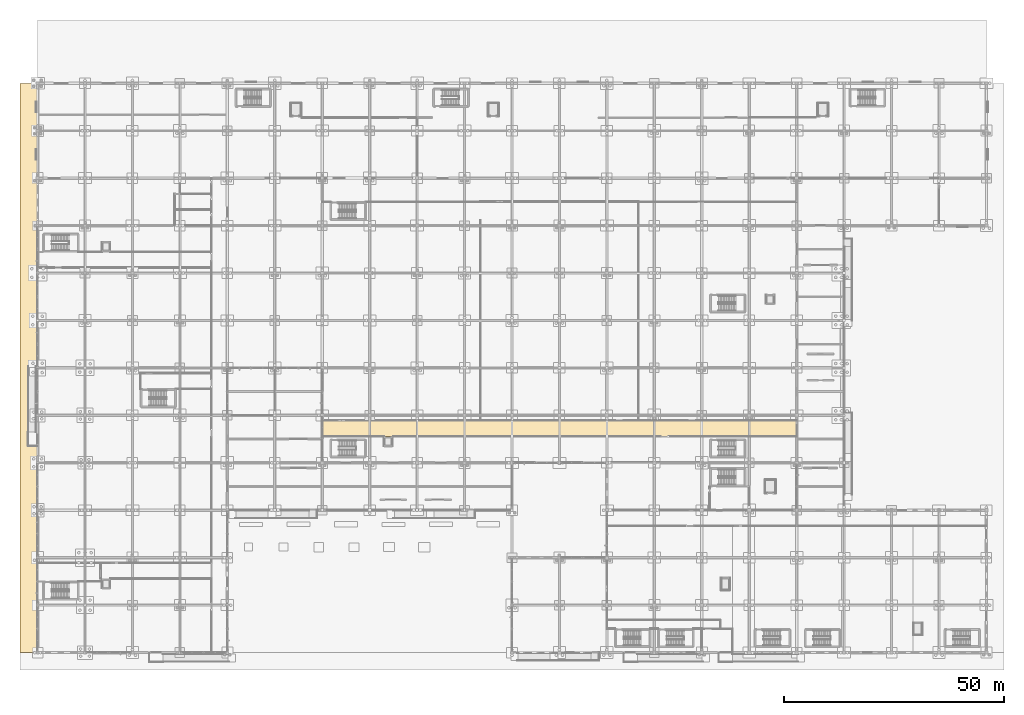
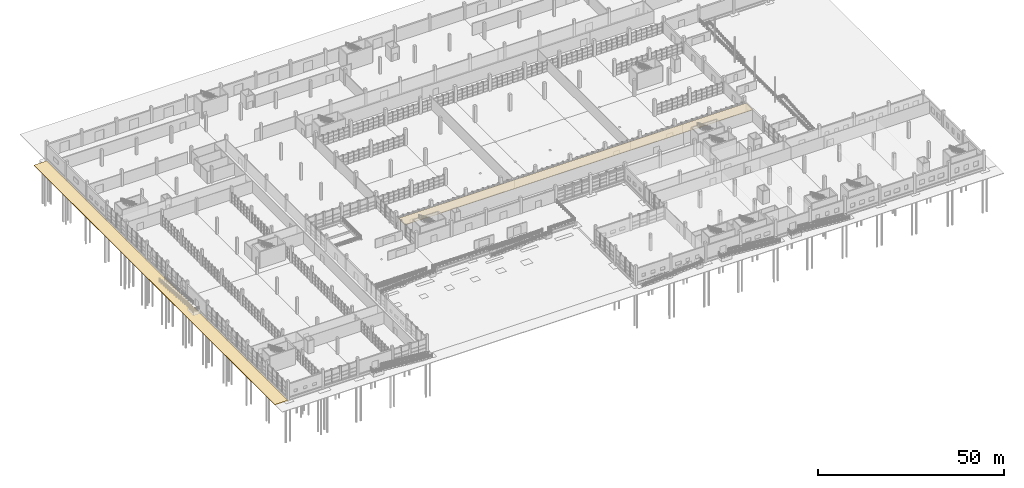
# One storey, part 129 of 138: 2 coverings.
"""IFC4 building model written with IfcOpenShell, lengths in metres."""

from ifc_helpers import new_model, si_unit, direction, frame, origin, place, context, subcontext, project, spatial, polyline, outline, extrude, material, layer, layer_set, type_object, element, save


model = new_model("IFC4")

# Units and contexts
model_context = context("Model", 3, precision=1e-05, world=origin(), true_north=direction((0.0, 1.0)))
body_context = subcontext(model_context, "Body", "Model", "MODEL_VIEW")
ifc_project = project(units=[si_unit("LENGTHUNIT", "METRE"), si_unit("AREAUNIT", "SQUARE_METRE"), si_unit("VOLUMEUNIT", "CUBIC_METRE"), si_unit("PLANEANGLEUNIT", "RADIAN"), si_unit("MASSUNIT", "GRAM", prefix="KILO")], contexts=[model_context])

# Site, building, storey
site_placement = place(None, origin())
site = spatial("IfcSite", under=ifc_project, at=site_placement, CompositionType="ELEMENT")
building_placement = place(site_placement, origin())
building = spatial("IfcBuilding", under=site, at=building_placement, Name="Zwinboog Wholesale Market", CompositionType="ELEMENT")
storey_placement = place(building_placement, origin())
storey = spatial("IfcBuildingStorey", under=building, at=storey_placement, Name="L00", CompositionType="ELEMENT", Elevation=0.0)

# Coverings
ifc_material_1 = material(Name="Concrete C35/45", Category="concrete")
ifc_layer_1 = layer(ifc_material_1, 0.219970703125)
ifc_layer_set_1 = layer_set([ifc_layer_1], Name="Concrete C35/45")
covering_type_1 = type_object("IfcCoveringType", Name="COV-YARD-PAVE", PredefinedType="FLOORING", material=ifc_layer_set_1)
covering_1_placement = place(storey_placement, frame((0.0, 0.0, -1.419921875)))
element("IfcCovering", 1, at=covering_1_placement, inside=storey, type_object=covering_type_1, Name="West Park Edge Cycle and Fire Access Lane", PredefinedType="FLOORING", context=body_context, shape_type="SweptSolid", body=[
    extrude(outline(polyline([(-4.0, 0.0), (0.0, 0.0), (0.0, 129.60009765625), (-4.0, 129.60009765625), (-4.0, 0.0)])), origin(), (0.0, 0.0, 1.0), 0.219970703125),
])
ifc_material_2 = material(Name="Hygienic washable acoustic gypsum ceiling")
ifc_layer_2 = layer(ifc_material_2, 0.050048828125)
ifc_layer_set_2 = layer_set([ifc_layer_2], Name="Hygienic washable acoustic gypsum ceiling")
covering_type_2 = type_object("IfcCoveringType", Name="COV-CEIL-HYG", PredefinedType="CEILING", material=ifc_layer_set_2)
covering_2_placement = place(storey_placement, frame((0.0, 0.0, 3.800048828125)))
element("IfcCovering", 2, at=covering_2_placement, inside=storey, type_object=covering_type_2, Name="CL-02 (COV-CL-L00-006)", PredefinedType="CEILING", context=body_context, shape_type="SweptSolid", body=[
    extrude(outline(polyline([(64.800048828125, 49.199951171875), (172.800048828125, 49.199951171875), (172.800048828125, 52.800048828125), (64.800048828125, 52.800048828125), (64.800048828125, 49.199951171875)])), origin(), (0.0, 0.0, 1.0), 0.050048828125),
])

save(model, "model.ifc")
